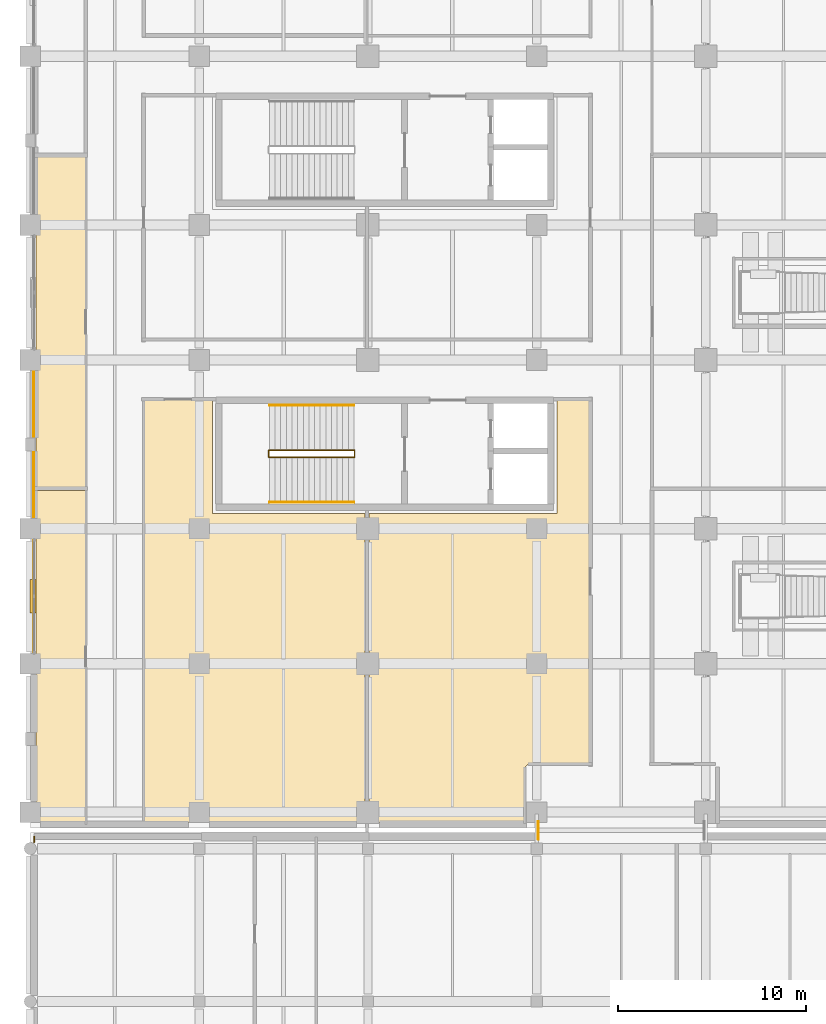
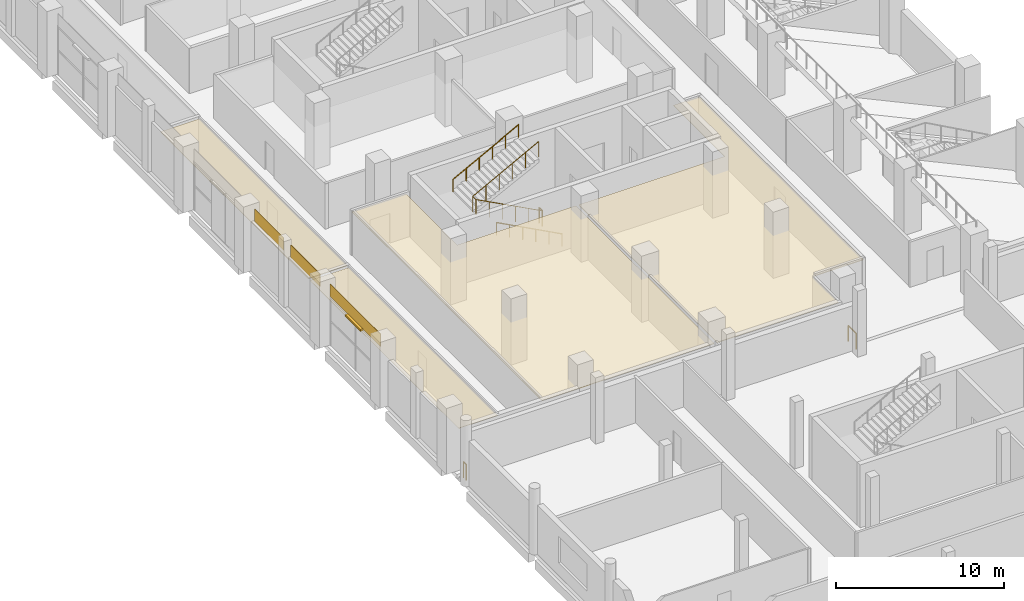
# One storey, part 77 of 100: 7 coverings, 6 railings, 1 shading device.
"""IFC4 building model written with IfcOpenShell, lengths in metres."""

from ifc_helpers import new_model, si_unit, direction, frame, origin, origin_2d, place, context, subcontext, project, spatial, polyline, rectangle, circle, outline, extrude, material, layer, layer_set, type_object, element, save


model = new_model("IFC4")

# Units and contexts
model_context = context("Model", 3, precision=1e-05, world=origin(), true_north=direction((0.0, 1.0)))
body_context = subcontext(model_context, "Body", "Model", "MODEL_VIEW")
ifc_project = project(units=[si_unit("LENGTHUNIT", "METRE"), si_unit("AREAUNIT", "SQUARE_METRE"), si_unit("VOLUMEUNIT", "CUBIC_METRE"), si_unit("PLANEANGLEUNIT", "RADIAN"), si_unit("MASSUNIT", "GRAM", prefix="KILO"), si_unit("THERMODYNAMICTEMPERATUREUNIT", "KELVIN"), si_unit("POWERUNIT", "WATT")], contexts=[model_context])

# Site, building, storey
site_placement = place(None, origin())
site = spatial("IfcSite", under=ifc_project, at=site_placement, CompositionType="ELEMENT")
building_placement = place(site_placement, origin())
building = spatial("IfcBuilding", under=site, at=building_placement, Name="Sindhuravela Promenade Stadium", CompositionType="ELEMENT")
storey_placement = place(building_placement, frame((0.0, 0.0, 4.800048828125)))
storey = spatial("IfcBuildingStorey", under=building, at=storey_placement, Name="L01", CompositionType="ELEMENT", Elevation=4.800048828125)

# Coverings
ifc_material_1 = material(Name="Acoustic mineral-fibre ceiling tile", Category="gypsum")
ifc_layer_1 = layer(ifc_material_1, 0.02490234375)
ifc_layer_set_1 = layer_set([ifc_layer_1], Name="Acoustic mineral-fibre ceiling tile")
covering_type_1 = type_object("IfcCoveringType", Name="CV-CEIL-1", PredefinedType="CEILING", material=ifc_layer_set_1)
covering_1_placement = place(storey_placement, frame((0.0, 0.0, 3.050048828125)))
element("IfcCovering", 1, at=covering_1_placement, inside=storey, type_object=covering_type_1, Name="Acoustic ceiling West Lower Concourse Hall 9", PredefinedType="CEILING", context=body_context, shape_type="SweptSolid", body=[
    extrude(outline(polyline([(0.300048828125, 54.221923828125), (0.300048828125, 54.22412109375), (0.30029296875, 54.225830078125), (0.30078125, 54.227783203125), (0.301513671875, 54.229736328125), (0.302490234375, 54.2314453125), (0.303466796875, 54.233154296875), (0.304443359375, 54.234619140625), (0.305908203125, 54.236083984375), (0.307373046875, 54.237548828125), (0.308837890625, 54.238525390625), (0.310546875, 54.239501953125), (0.312255859375, 54.240478515625), (0.314208984375, 54.2412109375), (0.316162109375, 54.24169921875), (0.318115234375, 54.241943359375), (0.320068359375, 54.241943359375), (2.9599609375, 54.241943359375), (2.9619140625, 54.241943359375), (2.9638671875, 54.24169921875), (2.9658203125, 54.2412109375), (2.9677734375, 54.240478515625), (2.969482421875, 54.239501953125), (2.97119140625, 54.238525390625), (2.97265625, 54.237548828125), (2.97412109375, 54.236083984375), (2.9755859375, 54.234619140625), (2.9765625, 54.233154296875), (2.9775390625, 54.2314453125), (2.978515625, 54.229736328125), (2.97900390625, 54.227783203125), (2.9794921875, 54.225830078125), (2.97998046875, 54.22412109375), (2.97998046875, 54.221923828125), (2.97998046875, 36.570068359375), (2.97998046875, 36.568115234375), (2.9794921875, 36.566162109375), (2.97900390625, 36.564208984375), (2.978515625, 36.562255859375), (2.9775390625, 36.560546875), (2.9765625, 36.558837890625), (2.9755859375, 36.557373046875), (2.97412109375, 36.555908203125), (2.97265625, 36.554443359375), (2.97119140625, 36.553466796875), (2.969482421875, 36.552490234375), (2.9677734375, 36.551513671875), (2.9658203125, 36.55078125), (2.9638671875, 36.55029296875), (2.9619140625, 36.550048828125), (2.9599609375, 36.550048828125), (0.320068359375, 36.550048828125), (0.318115234375, 36.550048828125), (0.316162109375, 36.55029296875), (0.314208984375, 36.55078125), (0.312255859375, 36.551513671875), (0.310546875, 36.552490234375), (0.308837890625, 36.553466796875), (0.307373046875, 36.554443359375), (0.305908203125, 36.555908203125), (0.304443359375, 36.557373046875), (0.303466796875, 36.558837890625), (0.302490234375, 36.560546875), (0.301513671875, 36.562255859375), (0.30078125, 36.564208984375), (0.30029296875, 36.566162109375), (0.300048828125, 36.568115234375), (0.300048828125, 36.570068359375), (0.300048828125, 54.221923828125)])), origin(), (0.0, 0.0, 1.0), 0.02490234375),
])
ifc_layer_2 = layer(ifc_material_1, 0.044921875)
ifc_layer_set_2 = layer_set([ifc_layer_2], Name="Acoustic mineral-fibre ceiling tile")
covering_type_2 = type_object("IfcCoveringType", Name="CV-CEIL-2", PredefinedType="CEILING", material=ifc_layer_set_2)
covering_2_placement = place(storey_placement, frame((0.0, 0.0, 3.050048828125)))
element("IfcCovering", 2, at=covering_2_placement, inside=storey, type_object=covering_type_2, Name="Acoustic ceiling West Lower Concourse Hall", PredefinedType="CEILING", context=body_context, shape_type="SweptSolid", body=[
    extrude(outline(polyline([(6.02001953125, 59.110107421875), (6.02001953125, 59.112060546875), (6.0205078125, 59.114013671875), (6.02099609375, 59.11572265625), (6.021484375, 59.11767578125), (6.0224609375, 59.119384765625), (6.0234375, 59.12109375), (6.0244140625, 59.122802734375), (6.02587890625, 59.1240234375), (6.02734375, 59.12548828125), (6.02880859375, 59.126708984375), (6.030517578125, 59.127685546875), (6.0322265625, 59.12841796875), (6.0341796875, 59.129150390625), (6.0361328125, 59.129638671875), (6.0380859375, 59.1298828125), (6.0400390625, 59.1298828125), (9.699951171875, 59.1298828125), (9.701904296875, 59.1298828125), (9.703857421875, 59.129638671875), (9.705810546875, 59.129150390625), (9.707763671875, 59.12841796875), (9.70947265625, 59.127685546875), (9.711181640625, 59.126708984375), (9.712646484375, 59.12548828125), (9.714111328125, 59.1240234375), (9.715576171875, 59.122802734375), (9.716552734375, 59.12109375), (9.717529296875, 59.119384765625), (9.718505859375, 59.11767578125), (9.718994140625, 59.11572265625), (9.719482421875, 59.114013671875), (9.719970703125, 59.112060546875), (9.719970703125, 59.110107421875), (9.719970703125, 53.02001953125), (17.830078125, 53.02001953125), (17.83203125, 53.02001953125), (17.833984375, 53.01953125), (17.835693359375, 53.01904296875), (17.837646484375, 53.0185546875), (17.83935546875, 53.017578125), (17.841064453125, 53.0166015625), (17.8427734375, 53.015380859375), (17.843994140625, 53.01416015625), (17.845458984375, 53.0126953125), (17.8466796875, 53.010986328125), (17.84765625, 53.009521484375), (17.848388671875, 53.0078125), (17.84912109375, 53.005859375), (17.849609375, 53.00390625), (17.849853515625, 53.001953125), (17.85009765625, 53.0), (17.85009765625, 36.570068359375), (17.849853515625, 36.568115234375), (17.849609375, 36.566162109375), (17.84912109375, 36.564208984375), (17.848388671875, 36.562255859375), (17.84765625, 36.560546875), (17.8466796875, 36.558837890625), (17.845458984375, 36.557373046875), (17.843994140625, 36.555908203125), (17.8427734375, 36.554443359375), (17.841064453125, 36.553466796875), (17.83935546875, 36.552490234375), (17.837646484375, 36.551513671875), (17.835693359375, 36.55078125), (17.833984375, 36.55029296875), (17.83203125, 36.550048828125), (17.830078125, 36.550048828125), (6.0400390625, 36.550048828125), (6.0380859375, 36.550048828125), (6.0361328125, 36.55029296875), (6.0341796875, 36.55078125), (6.0322265625, 36.551513671875), (6.030517578125, 36.552490234375), (6.02880859375, 36.553466796875), (6.02734375, 36.554443359375), (6.02587890625, 36.555908203125), (6.0244140625, 36.557373046875), (6.0234375, 36.558837890625), (6.0224609375, 36.560546875), (6.021484375, 36.562255859375), (6.02099609375, 36.564208984375), (6.0205078125, 36.566162109375), (6.02001953125, 36.568115234375), (6.02001953125, 36.570068359375), (6.02001953125, 59.110107421875)])), origin(), (0.0, 0.0, 1.0), 0.044921875),
])
covering_3_placement = place(storey_placement, frame((0.0, 0.0, 3.050048828125)))
element("IfcCovering", 3, at=covering_3_placement, inside=storey, type_object=covering_type_2, Name="Acoustic ceiling Matchday Steward Post West", PredefinedType="CEILING", context=body_context, shape_type="SweptSolid", body=[
    extrude(outline(polyline([(28.080078125, 53.02001953125), (28.080078125, 59.110107421875), (28.080078125, 59.112060546875), (28.080322265625, 59.114013671875), (28.080810546875, 59.11572265625), (28.08154296875, 59.11767578125), (28.08251953125, 59.119384765625), (28.08349609375, 59.12109375), (28.08447265625, 59.122802734375), (28.0859375, 59.1240234375), (28.08740234375, 59.12548828125), (28.0888671875, 59.126708984375), (28.090576171875, 59.127685546875), (28.09228515625, 59.12841796875), (28.09423828125, 59.129150390625), (28.09619140625, 59.129638671875), (28.097900390625, 59.1298828125), (28.10009765625, 59.1298828125), (29.860107421875, 59.1298828125), (29.862060546875, 59.1298828125), (29.864013671875, 59.129638671875), (29.86572265625, 59.129150390625), (29.86767578125, 59.12841796875), (29.869384765625, 59.127685546875), (29.87109375, 59.126708984375), (29.872802734375, 59.12548828125), (29.8740234375, 59.1240234375), (29.87548828125, 59.122802734375), (29.876708984375, 59.12109375), (29.877685546875, 59.119384765625), (29.87841796875, 59.11767578125), (29.879150390625, 59.11572265625), (29.879638671875, 59.114013671875), (29.8798828125, 59.112060546875), (29.8798828125, 59.110107421875), (29.8798828125, 39.659912109375), (29.8798828125, 39.657958984375), (29.879638671875, 39.656005859375), (29.879150390625, 39.654296875), (29.87841796875, 39.65234375), (29.877685546875, 39.650634765625), (29.876708984375, 39.64892578125), (29.87548828125, 39.647216796875), (29.8740234375, 39.64599609375), (29.872802734375, 39.64453125), (29.87109375, 39.643310546875), (29.869384765625, 39.642333984375), (29.86767578125, 39.6416015625), (29.86572265625, 39.640869140625), (29.864013671875, 39.640380859375), (29.862060546875, 39.64013671875), (29.860107421875, 39.639892578125), (26.6005859375, 39.639892578125), (26.578369140625, 39.638916015625), (26.55712890625, 39.6357421875), (26.5361328125, 39.630615234375), (26.515869140625, 39.623291015625), (26.496337890625, 39.614013671875), (26.477783203125, 39.602783203125), (26.46044921875, 39.590087890625), (26.444580078125, 39.575439453125), (26.429931640625, 39.5595703125), (26.4169921875, 39.542236328125), (26.406005859375, 39.523681640625), (26.396728515625, 39.504150390625), (26.389404296875, 39.48388671875), (26.38427734375, 39.462890625), (26.381103515625, 39.441650390625), (26.3798828125, 39.41943359375), (26.3798828125, 36.570068359375), (26.3798828125, 36.568115234375), (26.379638671875, 36.566162109375), (26.379150390625, 36.564208984375), (26.37841796875, 36.562255859375), (26.377685546875, 36.560546875), (26.376708984375, 36.558837890625), (26.37548828125, 36.557373046875), (26.3740234375, 36.555908203125), (26.372802734375, 36.554443359375), (26.37109375, 36.553466796875), (26.369384765625, 36.552490234375), (26.36767578125, 36.551513671875), (26.36572265625, 36.55078125), (26.364013671875, 36.55029296875), (26.362060546875, 36.550048828125), (26.360107421875, 36.550048828125), (18.070068359375, 36.550048828125), (18.068115234375, 36.550048828125), (18.066162109375, 36.55029296875), (18.064208984375, 36.55078125), (18.062255859375, 36.551513671875), (18.060546875, 36.552490234375), (18.058837890625, 36.553466796875), (18.057373046875, 36.554443359375), (18.055908203125, 36.555908203125), (18.054443359375, 36.557373046875), (18.053466796875, 36.558837890625), (18.052490234375, 36.560546875), (18.051513671875, 36.562255859375), (18.05078125, 36.564208984375), (18.05029296875, 36.566162109375), (18.050048828125, 36.568115234375), (18.050048828125, 36.570068359375), (18.050048828125, 53.0), (18.050048828125, 53.001953125), (18.05029296875, 53.00390625), (18.05078125, 53.005859375), (18.051513671875, 53.0078125), (18.052490234375, 53.009521484375), (18.053466796875, 53.010986328125), (18.054443359375, 53.0126953125), (18.055908203125, 53.01416015625), (18.057373046875, 53.015380859375), (18.058837890625, 53.0166015625), (18.060546875, 53.017578125), (18.062255859375, 53.0185546875), (18.064208984375, 53.01904296875), (18.066162109375, 53.01953125), (18.068115234375, 53.02001953125), (18.070068359375, 53.02001953125), (28.080078125, 53.02001953125)])), origin(), (0.0, 0.0, 1.0), 0.044921875),
])
covering_4_placement = place(storey_placement, frame((0.0, 0.0, 3.050048828125)))
element("IfcCovering", 4, at=covering_4_placement, inside=storey, type_object=covering_type_2, Name="Acoustic ceiling Matchday Steward Post West 12", PredefinedType="CEILING", context=body_context, shape_type="SweptSolid", body=[
    extrude(outline(polyline([(0.300048828125, 71.993896484375), (0.300048828125, 71.99609375), (0.30029296875, 71.997802734375), (0.30078125, 71.999755859375), (0.301513671875, 72.001708984375), (0.302490234375, 72.00341796875), (0.303466796875, 72.005126953125), (0.304443359375, 72.006591796875), (0.305908203125, 72.008056640625), (0.307373046875, 72.009521484375), (0.308837890625, 72.010498046875), (0.310546875, 72.01171875), (0.312255859375, 72.012451171875), (0.314208984375, 72.01318359375), (0.316162109375, 72.013671875), (0.318115234375, 72.013916015625), (0.320068359375, 72.013916015625), (2.9599609375, 72.013916015625), (2.9619140625, 72.013916015625), (2.9638671875, 72.013671875), (2.9658203125, 72.01318359375), (2.9677734375, 72.012451171875), (2.969482421875, 72.01171875), (2.97119140625, 72.010498046875), (2.97265625, 72.009521484375), (2.97412109375, 72.008056640625), (2.9755859375, 72.006591796875), (2.9765625, 72.005126953125), (2.9775390625, 72.00341796875), (2.978515625, 72.001708984375), (2.97900390625, 71.999755859375), (2.9794921875, 71.997802734375), (2.97998046875, 71.99609375), (2.97998046875, 71.993896484375), (2.97998046875, 54.4619140625), (2.97998046875, 54.4599609375), (2.9794921875, 54.4580078125), (2.97900390625, 54.456298828125), (2.978515625, 54.454345703125), (2.9775390625, 54.45263671875), (2.9765625, 54.450927734375), (2.9755859375, 54.44921875), (2.97412109375, 54.447998046875), (2.97265625, 54.446533203125), (2.97119140625, 54.4453125), (2.969482421875, 54.4443359375), (2.9677734375, 54.443603515625), (2.9658203125, 54.44287109375), (2.9638671875, 54.4423828125), (2.9619140625, 54.442138671875), (2.9599609375, 54.44189453125), (0.320068359375, 54.44189453125), (0.318115234375, 54.442138671875), (0.316162109375, 54.4423828125), (0.314208984375, 54.44287109375), (0.312255859375, 54.443603515625), (0.310546875, 54.4443359375), (0.308837890625, 54.4453125), (0.307373046875, 54.446533203125), (0.305908203125, 54.447998046875), (0.304443359375, 54.44921875), (0.303466796875, 54.450927734375), (0.302490234375, 54.45263671875), (0.301513671875, 54.454345703125), (0.30078125, 54.456298828125), (0.30029296875, 54.4580078125), (0.300048828125, 54.4599609375), (0.300048828125, 54.4619140625), (0.300048828125, 71.993896484375)])), origin(), (0.0, 0.0, 1.0), 0.044921875),
])
ifc_material_2 = material(Name="Polychrome trencadis ceramic mosaic", Category="masonry")
ifc_layer_3 = layer(ifc_material_2, 0.034912109375)
ifc_layer_set_3 = layer_set([ifc_layer_3], Name="Polychrome trencadis ceramic mosaic")
covering_type_3 = type_object("IfcCoveringType", Name="CV-TRENC-1", PredefinedType="CLADDING", material=ifc_layer_set_3)
covering_5_placement = place(storey_placement, frame((0.179931640625, 48.60009765625, 3.55517578125), z_axis=(0.0, 0.0, 1.0), x_axis=(0.0, 1.0, 0.0)))
element("IfcCovering", 5, at=covering_5_placement, inside=storey, type_object=covering_type_3, Name="Trencadis ceramic mosaic spandrel frieze WEST L01-14", PredefinedType="CLADDING", context=body_context, shape_type="SweptSolid", body=[
    extrude(rectangle(XDim=5.969970703125, YDim=0.034912109375, at=origin_2d()), origin(), (0.0, 0.0, 1.0), 0.905029296875),
])
covering_6_placement = place(storey_placement, frame((0.179931640625, 58.85009765625, 3.55517578125), z_axis=(0.0, 0.0, 1.0), x_axis=(0.0, 1.0, 0.0)))
element("IfcCovering", 6, at=covering_6_placement, inside=storey, type_object=covering_type_3, Name="Trencadis ceramic mosaic spandrel frieze WEST L01-16", PredefinedType="CLADDING", context=body_context, shape_type="SweptSolid", body=[
    extrude(rectangle(XDim=3.469970703125, YDim=0.034912109375, at=origin_2d()), origin(), (0.0, 0.0, 1.0), 0.905029296875),
])
ifc_layer_4 = layer(ifc_material_2, 0.050048828125)
ifc_layer_set_4 = layer_set([ifc_layer_4], Name="Polychrome trencadis ceramic mosaic")
covering_type_4 = type_object("IfcCoveringType", Name="CV-TRENC-2", PredefinedType="CLADDING", material=ifc_layer_set_4)
covering_7_placement = place(storey_placement, frame((0.179931640625, 54.550048828125, 3.55517578125), z_axis=(0.0, 0.0, 1.0), x_axis=(0.0, 1.0, 0.0)))
element("IfcCovering", 7, at=covering_7_placement, inside=storey, type_object=covering_type_4, Name="Trencadis ceramic mosaic spandrel frieze WEST L01-15", PredefinedType="CLADDING", context=body_context, shape_type="SweptSolid", body=[
    extrude(rectangle(XDim=3.469970703125, YDim=0.050048828125, at=origin_2d()), origin(), (0.0, 0.0, 1.0), 0.905029296875),
])

# Railings
ifc_material_3 = material(Name="Architectural wrought steel E350", Category="steel")
railing_type_1 = type_object("IfcRailingType", Name="RL-GRD-1150", PredefinedType="GUARDRAIL", material=ifc_material_3)
railing_1_placement = place(storey_placement, frame((0.199951171875, 35.47998046875, 0.0)))
element("IfcRailing", 8, at=railing_1_placement, inside=storey, type_object=railing_type_1, Name="Perimeter edge return guard Pavilion SW L01", PredefinedType="GUARDRAIL", context=body_context, shape_type="SweptSolid", body=[
    extrude(circle(Radius=0.02392578125, at=origin_2d()), frame((0.0, 0.0, 1.1259765625), z_axis=(0.0, 1.0, 0.0), x_axis=(-1.0, 0.0, 0.0)), (0.0, 0.0, 1.0), 0.320068359375),
    extrude(circle(Radius=0.02099609375, at=origin_2d()), origin(), (0.0, 0.0, 1.0), 1.101806640625),
    extrude(circle(Radius=0.02099609375, at=origin_2d()), frame((0.0, 0.320068359375, 0.0)), (0.0, 0.0, 1.0), 1.101806640625),
])
railing_2_placement = place(storey_placement, frame((27.080078125, 35.64990234375, 0.0)))
element("IfcRailing", 9, at=railing_2_placement, inside=storey, type_object=railing_type_1, Name="Bridge edge guardrail GR01-57", PredefinedType="GUARDRAIL", context=body_context, shape_type="SweptSolid", body=[
    extrude(circle(Radius=0.02392578125, at=origin_2d()), frame((0.0, 0.0, 1.1259765625), z_axis=(0.0, 1.0, 0.0), x_axis=(-1.0, 0.0, 0.0)), (0.0, 0.0, 1.0), 0.9501953125),
    extrude(circle(Radius=0.02099609375, at=origin_2d()), origin(), (0.0, 0.0, 1.0), 1.101806640625),
    extrude(circle(Radius=0.02099609375, at=origin_2d()), frame((0.0, 0.9501953125, 0.0)), (0.0, 0.0, 1.0), 1.101806640625),
])
railing_3_placement = place(storey_placement, frame((17.25, 56.010009765625, 0.0)))
element("IfcRailing", 10, at=railing_3_placement, inside=storey, type_object=railing_type_1, Name="Stair ST01 inner well guard (L01)", PredefinedType="GUARDRAIL", context=body_context, shape_type="SweptSolid", body=[
    extrude(circle(Radius=0.02392578125, at=origin_2d()), frame((0.0, 0.0, 1.1259765625), z_axis=(-0.8836546633431795, 0.0, 0.46813933390802775), x_axis=(0.0, -1.0, 0.0)), (0.0, 0.0, 1.0), 5.12646484375),
    extrude(circle(Radius=0.02392578125, at=origin_2d()), frame((-4.530029296875, 0.0, 3.52587890625), z_axis=(0.0, 1.0, 0.0), x_axis=(-1.0, 0.0, 0.0)), (0.0, 0.0, 1.0), 0.3798828125),
    extrude(circle(Radius=0.02392578125, at=origin_2d()), frame((-4.530029296875, 0.3798828125, 3.52587890625), z_axis=(0.8836349624059475, 0.0, 0.46817651928929505), x_axis=(0.0, 1.0, 0.0)), (0.0, 0.0, 1.0), 5.12646484375),
    extrude(circle(Radius=0.02099609375, at=origin_2d()), origin(), (0.0, 0.0, 1.0), 1.101806640625),
    extrude(circle(Radius=0.02099609375, at=origin_2d()), frame((-0.906005859375, 0.0, 0.47998046875)), (0.0, 0.0, 1.0), 1.101806640625),
    extrude(circle(Radius=0.02099609375, at=origin_2d()), frame((-1.81201171875, 0.0, 0.9599609375)), (0.0, 0.0, 1.0), 1.101806640625),
    extrude(circle(Radius=0.02099609375, at=origin_2d()), frame((-2.718017578125, 0.0, 1.43994140625)), (0.0, 0.0, 1.0), 1.101806640625),
    extrude(circle(Radius=0.02099609375, at=origin_2d()), frame((-3.6240234375, 0.0, 1.919921875)), (0.0, 0.0, 1.0), 1.101806640625),
    extrude(circle(Radius=0.02099609375, at=origin_2d()), frame((-4.530029296875, 0.0, 2.39990234375)), (0.0, 0.0, 1.0), 1.101806640625),
    extrude(circle(Radius=0.02099609375, at=origin_2d()), frame((-4.530029296875, 0.3798828125, 2.39990234375)), (0.0, 0.0, 1.0), 1.101806640625),
    extrude(circle(Radius=0.02099609375, at=origin_2d()), frame((-3.6240234375, 0.3798828125, 2.8798828125)), (0.0, 0.0, 1.0), 1.101806640625),
    extrude(circle(Radius=0.02099609375, at=origin_2d()), frame((-2.718017578125, 0.3798828125, 3.35986328125)), (0.0, 0.0, 1.0), 1.101806640625),
    extrude(circle(Radius=0.02099609375, at=origin_2d()), frame((-1.81201171875, 0.3798828125, 3.840087890625)), (0.0, 0.0, 1.0), 1.101806640625),
    extrude(circle(Radius=0.02099609375, at=origin_2d()), frame((-0.906005859375, 0.3798828125, 4.320068359375)), (0.0, 0.0, 1.0), 1.101806640625),
    extrude(circle(Radius=0.02099609375, at=origin_2d()), frame((0.0, 0.3798828125, 4.800048828125)), (0.0, 0.0, 1.0), 1.101806640625),
])
railing_4_placement = place(storey_placement, frame((17.280029296875, 56.010009765625, 0.0)))
element("IfcRailing", 11, at=railing_4_placement, inside=storey, type_object=railing_type_1, Name="Stair ST01 landing well slot guard (L01)", PredefinedType="GUARDRAIL", context=body_context, shape_type="SweptSolid", body=[
    extrude(circle(Radius=0.02392578125, at=origin_2d()), frame((0.0, 0.0, 1.1259765625), z_axis=(0.0, 1.0, 0.0), x_axis=(-1.0, 0.0, 0.0)), (0.0, 0.0, 1.0), 0.3798828125),
    extrude(circle(Radius=0.02099609375, at=origin_2d()), origin(), (0.0, 0.0, 1.0), 1.101806640625),
    extrude(circle(Radius=0.02099609375, at=origin_2d()), frame((0.0, 0.3798828125, 0.0)), (0.0, 0.0, 1.0), 1.101806640625),
])
railing_type_2 = type_object("IfcRailingType", Name="RL-HND-920", PredefinedType="HANDRAIL", material=ifc_material_3)
railing_5_placement = place(storey_placement, frame((17.25, 53.6201171875, 0.0)))
element("IfcRailing", 12, at=railing_5_placement, inside=storey, type_object=railing_type_2, Name="Stair ST01 lower wall handrail (L01)", PredefinedType="HANDRAIL", context=body_context, shape_type="SweptSolid", body=[
    extrude(circle(Radius=0.02392578125, at=origin_2d()), frame((0.0, 0.0, 0.89599609375), z_axis=(-0.8823608919668723, 0.0, 0.4705733272588083), x_axis=(0.0, -1.0, 0.0)), (0.0, 0.0, 1.0), 5.099853515625),
    extrude(circle(Radius=0.02099609375, at=origin_2d()), origin(), (0.0, 0.0, 1.0), 0.871826171875),
    extrude(circle(Radius=0.02099609375, at=origin_2d()), frame((-0.89990234375, 0.0, 0.47998046875)), (0.0, 0.0, 1.0), 0.871826171875),
    extrude(circle(Radius=0.02099609375, at=origin_2d()), frame((-1.800048828125, 0.0, 0.9599609375)), (0.0, 0.0, 1.0), 0.871826171875),
    extrude(circle(Radius=0.02099609375, at=origin_2d()), frame((-2.699951171875, 0.0, 1.43994140625)), (0.0, 0.0, 1.0), 0.871826171875),
    extrude(circle(Radius=0.02099609375, at=origin_2d()), frame((-3.60009765625, 0.0, 1.919921875)), (0.0, 0.0, 1.0), 0.871826171875),
    extrude(circle(Radius=0.02099609375, at=origin_2d()), frame((-4.5, 0.0, 2.39990234375)), (0.0, 0.0, 1.0), 0.871826171875),
])
railing_6_placement = place(storey_placement, frame((12.75, 58.780029296875, 2.39990234375)))
element("IfcRailing", 13, at=railing_6_placement, inside=storey, type_object=railing_type_2, Name="Stair ST01 upper wall handrail (L01)", PredefinedType="HANDRAIL", context=body_context, shape_type="SweptSolid", body=[
    extrude(circle(Radius=0.02392578125, at=origin_2d()), frame((0.0, 0.0, 0.89599609375), z_axis=(0.8823410147872734, 0.0, 0.47061059659145427), x_axis=(0.0, 1.0, 0.0)), (0.0, 0.0, 1.0), 5.10009765625),
    extrude(circle(Radius=0.02099609375, at=origin_2d()), origin(), (0.0, 0.0, 1.0), 0.871826171875),
    extrude(circle(Radius=0.02099609375, at=origin_2d()), frame((0.89990234375, 0.0, 0.47998046875)), (0.0, 0.0, 1.0), 0.871826171875),
    extrude(circle(Radius=0.02099609375, at=origin_2d()), frame((1.800048828125, 0.0, 0.9599609375)), (0.0, 0.0, 1.0), 0.871826171875),
    extrude(circle(Radius=0.02099609375, at=origin_2d()), frame((2.699951171875, 0.0, 1.440185546875)), (0.0, 0.0, 1.0), 0.871826171875),
    extrude(circle(Radius=0.02099609375, at=origin_2d()), frame((3.60009765625, 0.0, 1.920166015625)), (0.0, 0.0, 1.0), 0.871826171875),
    extrude(circle(Radius=0.02099609375, at=origin_2d()), frame((4.5, 0.0, 2.400146484375)), (0.0, 0.0, 1.0), 0.871826171875),
])

# Shading device
ifc_material_4 = material(Name="Perforated terracotta celosia brick (15 MPa)", Category="masonry")
shading_device_type = type_object("IfcShadingDeviceType", Name="SH-JAL-2", PredefinedType="JALOUSIE", material=ifc_material_4)
shading_device_placement = place(storey_placement, frame((0.139892578125, 48.60009765625, 3.4501953125), z_axis=(0.0, 0.0, 1.0), x_axis=(0.0, 1.0, 0.0)))
element("IfcShadingDevice", 14, at=shading_device_placement, inside=storey, type_object=shading_device_type, Name="Terracotta solar shading louvre WEST L01-1", PredefinedType="JALOUSIE", context=body_context, shape_type="SweptSolid", body=[
    extrude(rectangle(XDim=1.800048828125, YDim=0.320068359375, at=origin_2d()), origin(), (0.0, 0.0, 1.0), 0.139892578125),
])

save(model, "model.ifc")
